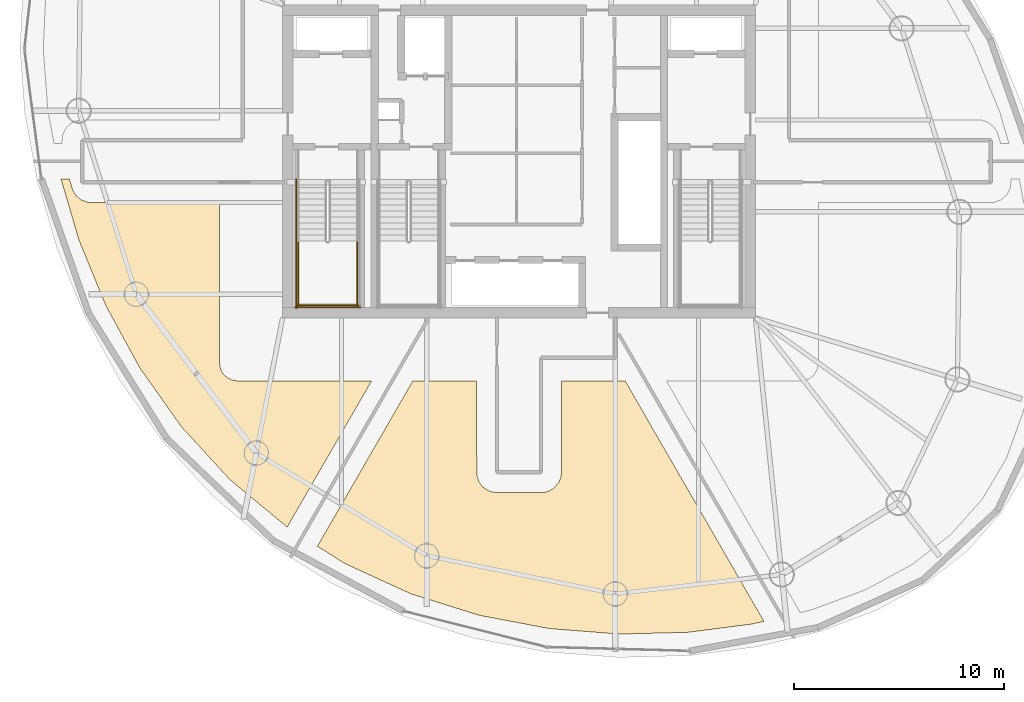
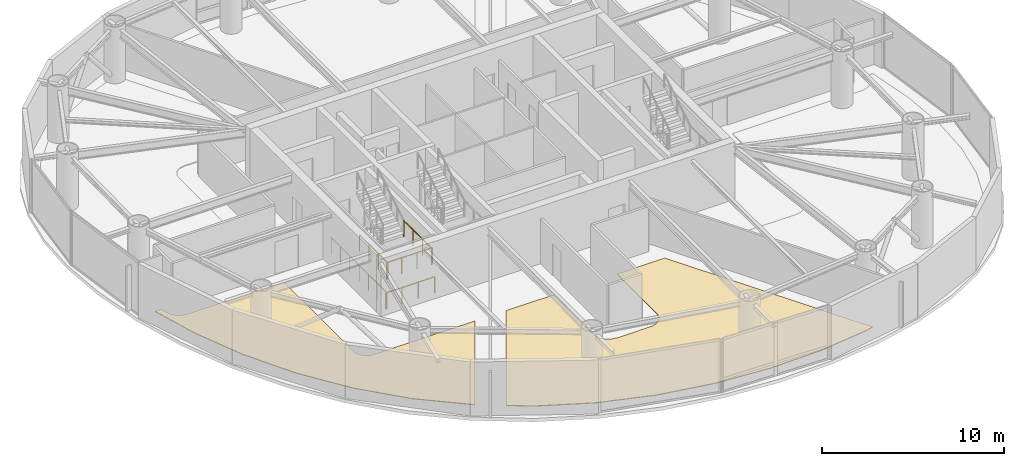
# One storey, part 17 of 20: 5 railings, 2 coverings.
"""IFC4 building model written with IfcOpenShell, lengths in metres."""

from ifc_helpers import new_model, si_unit, direction, frame, origin, origin_2d, place, context, subcontext, project, spatial, polyline, circle, outline, extrude, material, layer, layer_set, type_object, element, save


model = new_model("IFC4")

# Units and contexts
model_context = context("Model", 3, precision=1e-05, world=origin(), true_north=direction((0.0, 1.0)))
body_context = subcontext(model_context, "Body", "Model", "MODEL_VIEW")
ifc_project = project(units=[si_unit("LENGTHUNIT", "METRE"), si_unit("AREAUNIT", "SQUARE_METRE"), si_unit("VOLUMEUNIT", "CUBIC_METRE"), si_unit("PLANEANGLEUNIT", "RADIAN"), si_unit("MASSUNIT", "GRAM", prefix="KILO")], contexts=[model_context])

# Site, building, storey
site_placement = place(None, origin())
site = spatial("IfcSite", under=ifc_project, at=site_placement, CompositionType="ELEMENT")
building_placement = place(site_placement, origin())
building = spatial("IfcBuilding", under=site, at=building_placement, Name="Bramvorn Convention Spire", CompositionType="ELEMENT")
storey_placement = place(building_placement, frame((0.0, 0.0, 175.050048828125)))
storey = spatial("IfcBuildingStorey", under=building, at=storey_placement, Name="L44", CompositionType="ELEMENT", Elevation=175.050048828125)

# Coverings
ifc_material_1 = material(Name="Calcium-Sulphate Raised Access Office Floor", Category="steel")
ifc_layer = layer(ifc_material_1, 0.044921875)
ifc_layer_set = layer_set([ifc_layer], Name="Calcium-Sulphate Raised Access Office Floor - FLR-RAISED-45")
covering_type = type_object("IfcCoveringType", Name="FLR-RAISED-45", PredefinedType="FLOORING", material=ifc_layer_set)
covering_1_placement = place(storey_placement, origin())
element("IfcCovering", 1, at=covering_1_placement, inside=storey, type_object=covering_type, Name="L44 Open-Plan Design Office D 4 raised floor finish", PredefinedType="FLOORING", context=body_context, shape_type="SweptSolid", body=[
    extrude(outline(polyline([(17.0556640625, 22.256103515625), (18.326416015625, 19.15673828125), (19.95166015625, 16.169189453125), (21.92529296875, 13.378662109375), (24.232177734375, 10.858642578125), (26.968017578125, 8.591796875), (30.985107421875, 15.550048828125), (24.60009765625, 15.550048828125), (24.353271484375, 15.586669921875), (24.127685546875, 15.693359375), (23.94287109375, 15.86083984375), (23.850341796875, 15.999267578125), (23.78662109375, 16.1533203125), (23.75, 16.39990234375), (23.75, 24.030029296875), (17.5205078125, 24.039794921875), (17.1611328125, 24.1669921875), (16.931396484375, 24.357421875), (16.775390625, 24.597900390625), (16.60302734375, 25.14990234375), (16.20703125, 25.14990234375), (17.0556640625, 22.256103515625)])), origin(), (0.0, 0.0, 1.0), 0.044921875),
])
covering_2_placement = place(storey_placement, origin())
element("IfcCovering", 2, at=covering_2_placement, inside=storey, type_object=covering_type, Name="L44 Client Meeting Boardroom 5 raised floor finish", PredefinedType="FLOORING", context=body_context, shape_type="SweptSolid", body=[
    extrude(outline(polyline([(49.115478515625, 3.98046875), (49.65625, 4.11083984375), (43.0517578125, 15.550048828125), (40.02001953125, 15.550048828125), (40.01904296875, 11.158203125), (39.989501953125, 10.95849609375), (39.885009765625, 10.706298828125), (39.623046875, 10.41748046875), (39.38232421875, 10.288818359375), (39.197998046875, 10.241455078125), (36.949951171875, 10.22998046875), (36.61767578125, 10.288818359375), (36.302978515625, 10.477294921875), (36.114990234375, 10.706298828125), (35.991455078125, 11.052001953125), (35.97998046875, 15.550048828125), (32.9482421875, 15.550048828125), (28.406982421875, 7.68408203125), (29.7314453125, 6.848388671875), (32.8359375, 5.42236328125), (36.096435546875, 4.396484375), (39.4375, 3.76220703125), (42.777099609375, 3.499755859375), (46.030029296875, 3.58251953125), (49.115478515625, 3.98046875)])), origin(), (0.0, 0.0, 1.0), 0.044921875),
])

# Railings
ifc_material_2 = material(Name="Painted Steel Balustrade & Guardrail", Category="steel")
railing_type = type_object("IfcRailingType", Name="RL-STAIR-GUARD-1100", PredefinedType="GUARDRAIL", material=ifc_material_2)
for number, where, name in (
    (3, (27.5, 22.199951171875, 1.925048828125), "L44 ST1 stair guard 3"),
    (4, (30.300048828125, 22.199951171875, 1.925048828125), "L44 ST1 stair guard 4"),
):
    element("IfcRailing", number, at=place(storey_placement, frame(where)), inside=storey, type_object=railing_type, Name=name, PredefinedType="GUARDRAIL", context=body_context, shape_type="SweptSolid", body=[
        extrude(circle(Radius=0.02392578125, at=origin_2d()), frame((0.0, 0.0, 1.076171875), z_axis=(0.0, -1.0, 0.0), x_axis=(1.0, 0.0, 0.0)), (0.0, 0.0, 1.0), 3.099853515625),
        extrude(circle(Radius=0.02099609375, at=origin_2d()), origin(), (0.0, 0.0, 1.0), 1.052001953125),
        extrude(circle(Radius=0.02099609375, at=origin_2d()), frame((0.0, -1.033203125, 0.0)), (0.0, 0.0, 1.0), 1.052001953125),
        extrude(circle(Radius=0.02099609375, at=origin_2d()), frame((0.0, -2.066650390625, 0.0)), (0.0, 0.0, 1.0), 1.052001953125),
        extrude(circle(Radius=0.02099609375, at=origin_2d()), frame((0.0, -3.099853515625, 0.0)), (0.0, 0.0, 1.0), 1.052001953125),
    ])
railing_1_placement = place(storey_placement, frame((27.449951171875, 19.14990234375, 1.925048828125)))
element("IfcRailing", 5, at=railing_1_placement, inside=storey, type_object=railing_type, Name="L44 ST1 stair guard 5", PredefinedType="GUARDRAIL", context=body_context, shape_type="SweptSolid", body=[
    extrude(circle(Radius=0.02392578125, at=origin_2d()), frame((0.0, 0.0, 1.076171875), z_axis=(1.0, 0.0, 0.0), x_axis=(0.0, 1.0, 0.0)), (0.0, 0.0, 1.0), 2.900146484375),
    extrude(circle(Radius=0.02099609375, at=origin_2d()), origin(), (0.0, 0.0, 1.0), 1.052001953125),
    extrude(circle(Radius=0.02099609375, at=origin_2d()), frame((0.966796875, 0.0, 0.0)), (0.0, 0.0, 1.0), 1.052001953125),
    extrude(circle(Radius=0.02099609375, at=origin_2d()), frame((1.933349609375, 0.0, 0.0)), (0.0, 0.0, 1.0), 1.052001953125),
    extrude(circle(Radius=0.02099609375, at=origin_2d()), frame((2.900146484375, 0.0, 0.0)), (0.0, 0.0, 1.0), 1.052001953125),
])
railing_2_placement = place(storey_placement, frame((27.39990234375, 25.14990234375, 0.0)))
element("IfcRailing", 6, at=railing_2_placement, inside=storey, type_object=railing_type, Name="L44 ST1 stair guard 10", PredefinedType="GUARDRAIL", context=body_context, shape_type="SweptSolid", body=[
    extrude(circle(Radius=0.02392578125, at=origin_2d()), frame((0.0, 0.0, 1.076171875), z_axis=(0.0, -1.0, 0.0), x_axis=(1.0, 0.0, 0.0)), (0.0, 0.0, 1.0), 6.14990234375),
    extrude(circle(Radius=0.02099609375, at=origin_2d()), origin(), (0.0, 0.0, 1.0), 1.052001953125),
    extrude(circle(Radius=0.02099609375, at=origin_2d()), frame((0.0, -1.02490234375, 0.0)), (0.0, 0.0, 1.0), 1.052001953125),
    extrude(circle(Radius=0.02099609375, at=origin_2d()), frame((0.0, -2.050048828125, 0.0)), (0.0, 0.0, 1.0), 1.052001953125),
    extrude(circle(Radius=0.02099609375, at=origin_2d()), frame((0.0, -3.074951171875, 0.0)), (0.0, 0.0, 1.0), 1.052001953125),
    extrude(circle(Radius=0.02099609375, at=origin_2d()), frame((0.0, -4.099853515625, 0.0)), (0.0, 0.0, 1.0), 1.052001953125),
    extrude(circle(Radius=0.02099609375, at=origin_2d()), frame((0.0, -5.125, 0.0)), (0.0, 0.0, 1.0), 1.052001953125),
    extrude(circle(Radius=0.02099609375, at=origin_2d()), frame((0.0, -6.14990234375, 0.0)), (0.0, 0.0, 1.0), 1.052001953125),
])
railing_3_placement = place(storey_placement, frame((27.35009765625, 19.050048828125, 0.0)))
element("IfcRailing", 7, at=railing_3_placement, inside=storey, type_object=railing_type, Name="L44 ST1 stair guard 12", PredefinedType="GUARDRAIL", context=body_context, shape_type="SweptSolid", body=[
    extrude(circle(Radius=0.02392578125, at=origin_2d()), frame((0.0, 0.0, 1.076171875), z_axis=(1.0, 0.0, 0.0), x_axis=(0.0, 1.0, 0.0)), (0.0, 0.0, 1.0), 3.099853515625),
    extrude(circle(Radius=0.02099609375, at=origin_2d()), origin(), (0.0, 0.0, 1.0), 1.052001953125),
    extrude(circle(Radius=0.02099609375, at=origin_2d()), frame((1.033203125, 0.0, 0.0)), (0.0, 0.0, 1.0), 1.052001953125),
    extrude(circle(Radius=0.02099609375, at=origin_2d()), frame((2.066650390625, 0.0, 0.0)), (0.0, 0.0, 1.0), 1.052001953125),
    extrude(circle(Radius=0.02099609375, at=origin_2d()), frame((3.099853515625, 0.0, 0.0)), (0.0, 0.0, 1.0), 1.052001953125),
])

save(model, "model.ifc")
